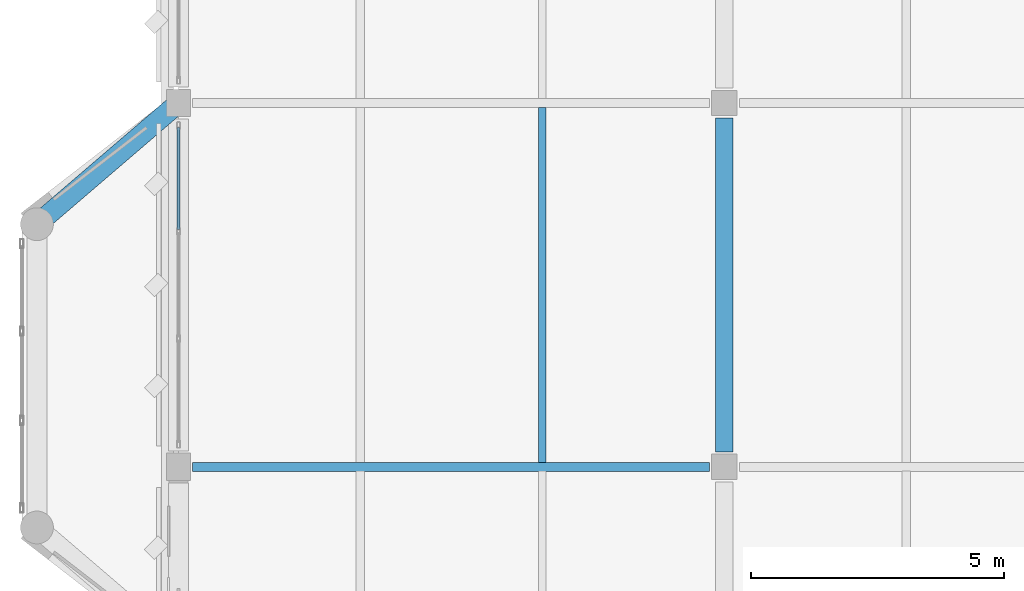
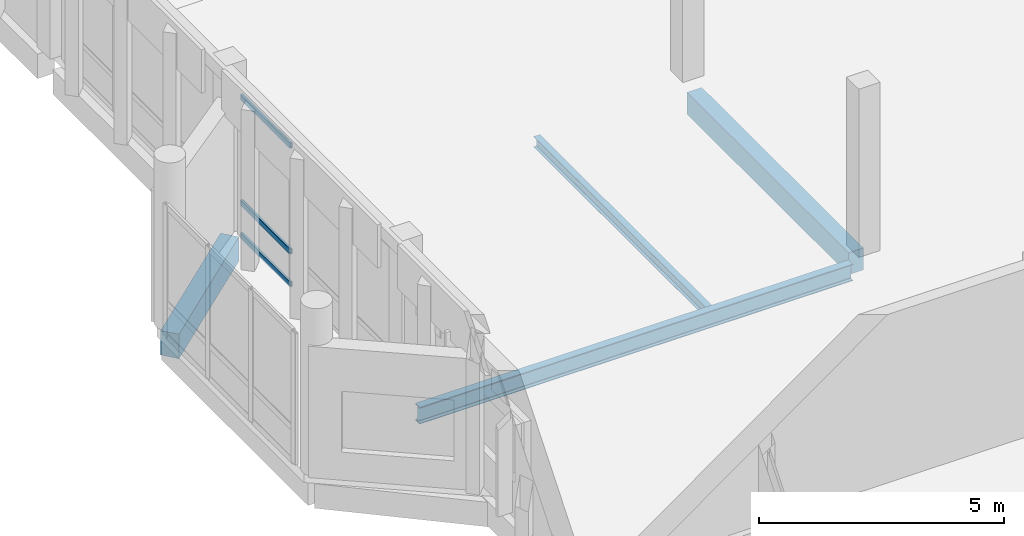
# One storey, part 14 of 72: 4 beams, 3 members, 1 element without a shape of its own.
"""IFC4 building model written with IfcOpenShell, lengths in metres."""

from ifc_helpers import new_model, si_unit, direction, frame, origin, origin_2d, place, context, subcontext, project, spatial, rectangle, hollow_rectangle, i_section, extrude, material, material_profile, profile_set, type_object, element, aggregate, save


model = new_model("IFC4")

# Units and contexts
model_context = context("Model", 3, precision=1e-05, world=origin(), true_north=direction((0.0, 1.0)))
body_context = subcontext(model_context, "Body", "Model", "MODEL_VIEW")
ifc_project = project(units=[si_unit("LENGTHUNIT", "METRE"), si_unit("AREAUNIT", "SQUARE_METRE"), si_unit("VOLUMEUNIT", "CUBIC_METRE"), si_unit("PLANEANGLEUNIT", "RADIAN"), si_unit("MASSUNIT", "GRAM", prefix="KILO")], contexts=[model_context])

# Site, building, storey
site_placement = place(None, origin())
site = spatial("IfcSite", under=ifc_project, at=site_placement, CompositionType="ELEMENT")
building_placement = place(site_placement, origin())
building = spatial("IfcBuilding", under=site, at=building_placement, Name="Lusvemor Sports Hall", CompositionType="ELEMENT")
storey_placement = place(building_placement, frame((0.0, 0.0, 15.0)))
storey = spatial("IfcBuildingStorey", under=building, at=storey_placement, Name="L03", CompositionType="ELEMENT", Elevation=15.0)

# Beams
ifc_material_1 = material(Name="Concrete C40/50", Category="concrete")
ifc_material_profile_1 = material_profile(ifc_material_1, rectangle(XDim=0.35009765625, YDim=0.550048828125, at=origin_2d()), Name="RC350x550")
ifc_profile_set_1 = profile_set([ifc_material_profile_1], Name="Concrete C40/50")
beam_type_1 = type_object("IfcBeamType", Name="BEAM_RC_550", PredefinedType="BEAM", material=ifc_profile_set_1)
beam_1_placement = place(storey_placement, frame((10.800048828125, 83.095947265625, -0.514892578125), z_axis=(0.0, 1.0, 0.0), x_axis=(-1.0, 0.0, 0.0)))
element("IfcBeam", 1, at=beam_1_placement, inside=storey, type_object=beam_type_1, Name="Beam L03 2:L-M", PredefinedType="BEAM", context=body_context, shape_type="SweptSolid", body=[
    extrude(rectangle(XDim=0.35009765625, YDim=0.550048828125, at=origin_2d()), origin(), (0.0, 0.0, 1.0), 6.608154296875),
])
ifc_material_2 = material(Name="Steel S355", Category="steel")
ifc_material_profile_2 = material_profile(ifc_material_2, i_section(OverallWidth=0.180908203125, OverallDepth=0.4169921875, WebThickness=0.010986328125, FlangeThickness=0.018310546875, FilletRadius=0.01611328125, at=origin_2d()), Name="W410x85.0")
ifc_profile_set_2 = profile_set([ifc_material_profile_2], Name="Steel S355")
beam_type_2 = type_object("IfcBeamType", Name="BEAM_ST_410H", PredefinedType="BEAM", material=ifc_profile_set_2)
beam_2_placement = place(storey_placement, frame((0.27587890625, 82.800048828125, -0.452392578125), z_axis=(1.0, 0.0, 0.0), x_axis=(0.0, 1.0, 0.0)))
element("IfcBeam", 2, at=beam_2_placement, inside=storey, type_object=beam_type_2, Name="Beam L03 L:1-2", PredefinedType="BEAM", context=body_context, shape_type="SweptSolid", body=[
    extrude(i_section(OverallWidth=0.180908203125, OverallDepth=0.4169921875, WebThickness=0.010986328125, FlangeThickness=0.018310546875, FilletRadius=0.01611328125, at=origin_2d()), origin(), (0.0, 0.0, 1.0), 10.22802734375),
])

# Curtain wall, members
ifc_material_3 = material(Name="Thermally broken bronze-anodized aluminium", Category="aluminium")
curtain_wall_type = type_object("IfcCurtainWallType", Name="CW_WING_B", PredefinedType="NOTDEFINED", material=ifc_material_3)
curtain_wall_placement = place(storey_placement, origin())
curtain_wall = element("IfcCurtainWall", 3, at=curtain_wall_placement, inside=storey, type_object=curtain_wall_type, Name="Curtain Wall CW-L03-W-0-4", PredefinedType="NOTDEFINED")
ifc_material_4 = material(Name="Thermally broken bronze-anodized aluminium", Category="aluminium")
ifc_material_profile_3 = material_profile(ifc_material_4, hollow_rectangle(XDim=0.06005859375, YDim=0.135009765625, WallThickness=0.00390625, InnerFilletRadius=0.00390625, OuterFilletRadius=0.008056640625, at=origin_2d()), Name="CWTRN135x60x4")
ifc_profile_set_3 = profile_set([ifc_material_profile_3], Name="Thermally broken bronze-anodized aluminium")
member_type = type_object("IfcMemberType", Name="CW_TRN_B", PredefinedType="USERDEFINED", material=ifc_profile_set_3)
member_1_placement = place(storey_placement, frame((0.0, 87.492431640625, 0.030029296875), z_axis=(0.0, 1.0, 0.0), x_axis=(-1.0, 0.0, 0.0)))
member_1 = element("IfcMember", 4, at=member_1_placement, type_object=member_type, Name="CW02 transom 3.1", ObjectType="TRANSOM", PredefinedType="USERDEFINED", context=body_context, shape_type="SweptSolid", body=[
    extrude(hollow_rectangle(XDim=0.06005859375, YDim=0.135009765625, WallThickness=0.00390625, InnerFilletRadius=0.00390625, OuterFilletRadius=0.008056640625, at=origin_2d()), origin(), (0.0, 0.0, 1.0), 2.0224609375),
])
member_2_placement = place(storey_placement, frame((0.0, 87.492431640625, 0.85009765625), z_axis=(0.0, 1.0, 0.0), x_axis=(-1.0, 0.0, 0.0)))
member_2 = element("IfcMember", 5, at=member_2_placement, type_object=member_type, Name="CW02 transom 3.2", ObjectType="TRANSOM", PredefinedType="USERDEFINED", context=body_context, shape_type="SweptSolid", body=[
    extrude(hollow_rectangle(XDim=0.06005859375, YDim=0.135009765625, WallThickness=0.00390625, InnerFilletRadius=0.00390625, OuterFilletRadius=0.008056640625, at=origin_2d()), origin(), (0.0, 0.0, 1.0), 2.0224609375),
])
member_3_placement = place(storey_placement, frame((0.0, 87.492431640625, 3.489990234375), z_axis=(0.0, 1.0, 0.0), x_axis=(-1.0, 0.0, 0.0)))
member_3 = element("IfcMember", 6, at=member_3_placement, type_object=member_type, Name="CW02 transom 3.3", ObjectType="TRANSOM", PredefinedType="USERDEFINED", context=body_context, shape_type="SweptSolid", body=[
    extrude(hollow_rectangle(XDim=0.06005859375, YDim=0.135009765625, WallThickness=0.00390625, InnerFilletRadius=0.00390625, OuterFilletRadius=0.008056640625, at=origin_2d()), origin(), (0.0, 0.0, 1.0), 2.0224609375),
])
aggregate(curtain_wall, [member_1, member_2, member_3])

# Beams
ifc_material_5 = material(Name="Steel S355", Category="steel")
ifc_material_profile_4 = material_profile(ifc_material_5, i_section(OverallWidth=0.14794921875, OverallDepth=0.26611328125, WebThickness=0.007568359375, FlangeThickness=0.012939453125, FilletRadius=0.012939453125, at=origin_2d()), Name="W250x44.8")
ifc_profile_set_4 = profile_set([ifc_material_profile_4], Name="Steel S355")
beam_type_3 = type_object("IfcBeamType", Name="JOIST_ST_250M", PredefinedType="JOIST", material=ifc_profile_set_4)
beam_3_placement = place(storey_placement, frame((7.199951171875, 82.886474609375, -0.376953125), z_axis=(0.0, 1.0, 0.0), x_axis=(-1.0, 0.0, 0.0)))
element("IfcBeam", 7, at=beam_3_placement, inside=storey, type_object=beam_type_3, Name="Secondary Joist L03 1-2/L-M #2", PredefinedType="JOIST", context=body_context, shape_type="SweptSolid", body=[
    extrude(i_section(OverallWidth=0.14794921875, OverallDepth=0.26611328125, WebThickness=0.007568359375, FlangeThickness=0.012939453125, FilletRadius=0.012939453125, at=origin_2d()), origin(), (0.0, 0.0, 1.0), 7.027099609375),
])
ifc_material_6 = material(Name="Concrete C40/50", Category="concrete")
ifc_material_profile_5 = material_profile(ifc_material_6, rectangle(XDim=0.39990234375, YDim=0.610107421875, at=origin_2d()), Name="RC400x610")
ifc_profile_set_5 = profile_set([ifc_material_profile_5], Name="Concrete C40/50")
beam_type_4 = type_object("IfcBeamType", Name="SPAND_EXT_650", PredefinedType="SPANDREL", material=ifc_profile_set_5)
beam_4_placement = place(storey_placement, frame((-2.800048828125, 87.60009765625, -0.56494140625), z_axis=(0.759275294494, 0.650769565339, 0.0), x_axis=(-0.650769565339, 0.759275294494, 0.0)))
element("IfcBeam", 8, at=beam_4_placement, inside=storey, type_object=beam_type_4, Name="Bow Pavilion Edge Beam BOW-W2 L03-3", PredefinedType="SPANDREL", context=body_context, shape_type="SweptSolid", body=[
    extrude(rectangle(XDim=0.39990234375, YDim=0.610107421875, at=origin_2d()), origin(), (0.0, 0.0, 1.0), 3.687744140625),
])

save(model, "model.ifc")
